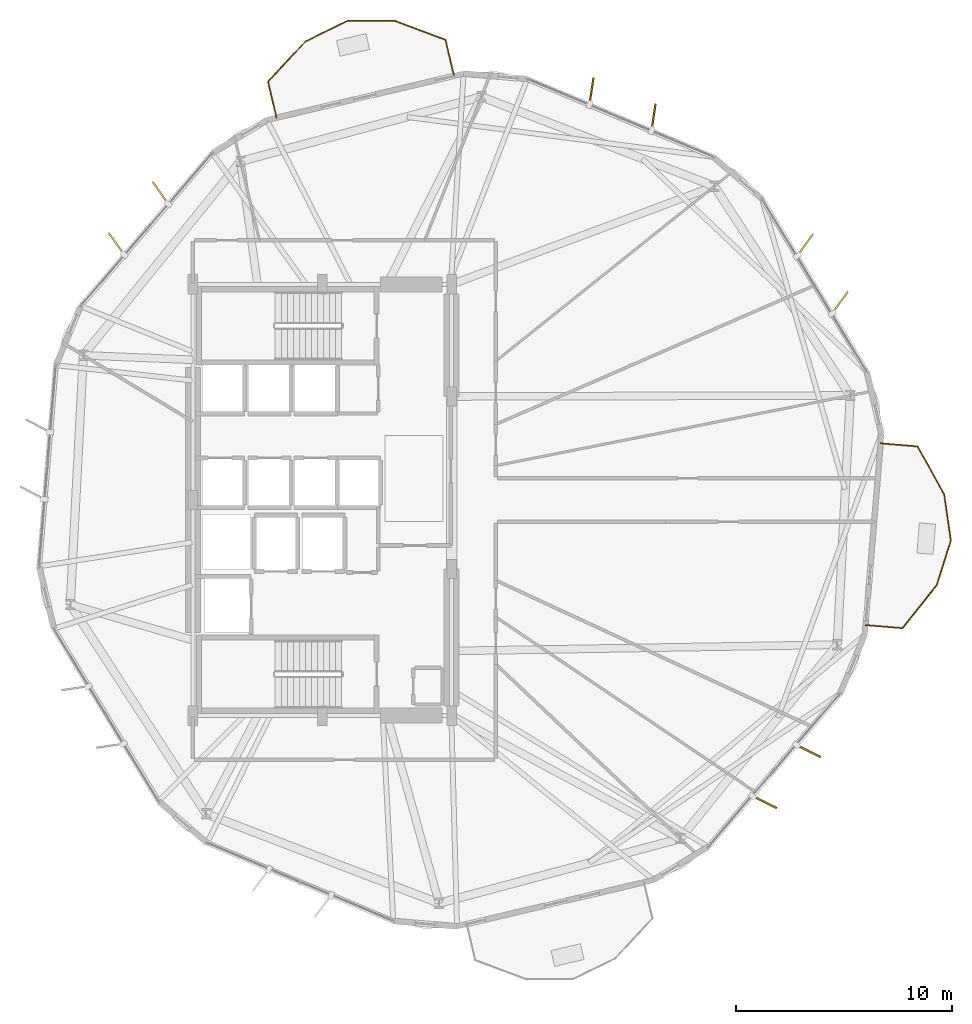
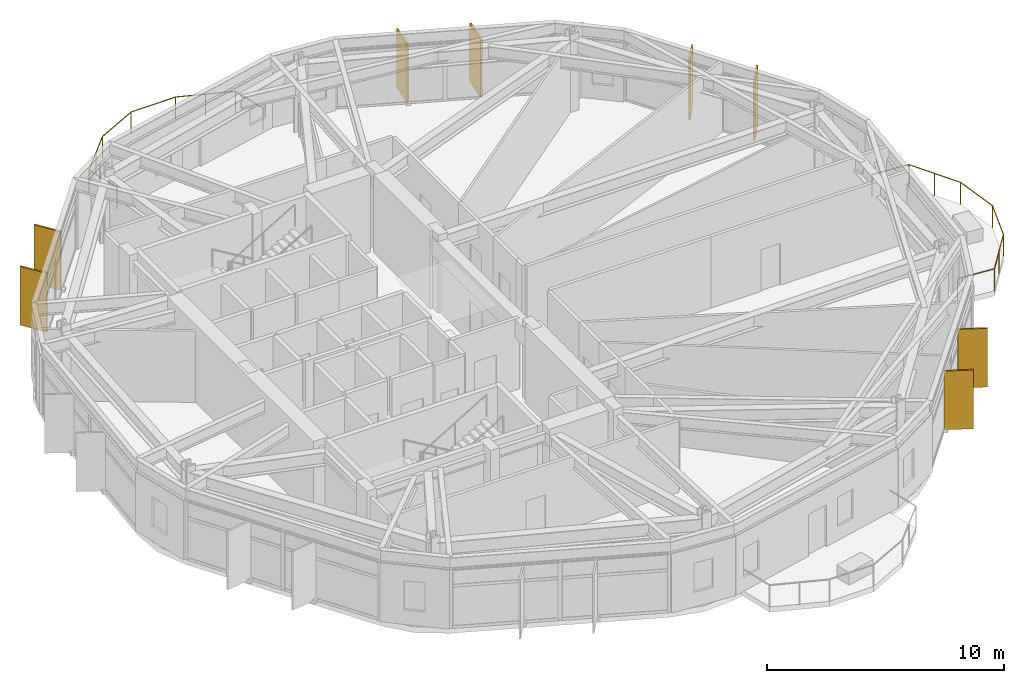
# One storey, part 21 of 21: 8 shading devices, 2 railings.
"""IFC4 building model written with IfcOpenShell, lengths in metres."""

from ifc_helpers import new_model, si_unit, direction, frame, origin, origin_2d, place, context, subcontext, project, spatial, rectangle, circle, extrude, material, layer, layer_set, type_object, element, save


model = new_model("IFC4")

# Units and contexts
model_context = context("Model", 3, precision=1e-05, world=origin(), true_north=direction((0.0, 1.0)))
body_context = subcontext(model_context, "Body", "Model", "MODEL_VIEW")
ifc_project = project(units=[si_unit("LENGTHUNIT", "METRE"), si_unit("AREAUNIT", "SQUARE_METRE"), si_unit("VOLUMEUNIT", "CUBIC_METRE"), si_unit("PLANEANGLEUNIT", "RADIAN"), si_unit("MASSUNIT", "GRAM", prefix="KILO")], contexts=[model_context])

# Site, building, storey
site_placement = place(None, origin())
site = spatial("IfcSite", under=ifc_project, at=site_placement, CompositionType="ELEMENT")
building_placement = place(site_placement, origin())
building = spatial("IfcBuilding", under=site, at=building_placement, Name="Soratama Intermodal Tower", CompositionType="ELEMENT")
storey_placement = place(building_placement, frame((0.0, 0.0, 78.60009765625)))
storey = spatial("IfcBuildingStorey", under=building, at=storey_placement, Name="L18", CompositionType="ELEMENT", Elevation=78.60009765625)

# Railings
ifc_material_1 = material(Name="Laminated glass and stainless steel balustrade", Category="steel")
railing_type = type_object("IfcRailingType", Name="RL-BAL-1150", PredefinedType="BALUSTRADE", material=ifc_material_1)
railing_1_placement = place(storey_placement, frame((64.48974609375, 27.629150390625, 0.0)))
element("IfcRailing", 1, at=railing_1_placement, inside=storey, type_object=railing_type, Name="L18 Balcony Balustrade 1", PredefinedType="BALUSTRADE", context=body_context, shape_type="SweptSolid", body=[
    extrude(circle(Radius=0.02392578125, at=origin_2d()), frame((0.0, 0.0, 1.1259765625), z_axis=(0.996581883403, -0.082610832665, 0.0), x_axis=(0.082610832665, 0.996581883403, 0.0)), (0.0, 0.0, 1.0), 1.719970703125),
    extrude(circle(Radius=0.02392578125, at=origin_2d()), frame((1.714111328125, -0.14208984375, 1.1259765625), z_axis=(0.485471887397, -0.874252278549, 0.0), x_axis=(0.874252278549, 0.485471887397, 0.0)), (0.0, 0.0, 1.0), 2.545166015625),
    extrude(circle(Radius=0.02392578125, at=origin_2d()), frame((2.94970703125, -2.3671875, 1.1259765625), z_axis=(0.142082802798, -0.989854775787, 0.0), x_axis=(0.989854775787, 0.142082802798, 0.0)), (0.0, 0.0, 1.0), 2.170166015625),
    extrude(circle(Radius=0.02392578125, at=origin_2d()), frame((3.258056640625, -4.515380859375, 1.1259765625), z_axis=(-0.303203657277, -0.952925780013, 0.0), x_axis=(0.952925780013, -0.303203657277, 0.0)), (0.0, 0.0, 1.0), 2.169921875),
    extrude(circle(Radius=0.02392578125, at=origin_2d()), frame((2.60009765625, -6.583251953125, 1.1259765625), z_axis=(-0.622786550334, -0.782391789785, 0.0), x_axis=(0.782391789785, -0.622786550334, 0.0)), (0.0, 0.0, 1.0), 2.54541015625),
    extrude(circle(Radius=0.02392578125, at=origin_2d()), frame((1.014892578125, -8.57470703125, 1.1259765625), z_axis=(-0.99657018762, 0.082751804498, 0.0), x_axis=(-0.082751804498, -0.99657018762, 0.0)), (0.0, 0.0, 1.0), 1.719970703125),
    extrude(circle(Radius=0.02099609375, at=origin_2d()), origin(), (0.0, 0.0, 1.0), 1.101806640625),
    extrude(circle(Radius=0.02099609375, at=origin_2d()), frame((1.714111328125, -0.14208984375, 0.0)), (0.0, 0.0, 1.0), 1.101806640625),
    extrude(circle(Radius=0.02099609375, at=origin_2d()), frame((2.33203125, -1.254638671875, 0.0)), (0.0, 0.0, 1.0), 1.101806640625),
    extrude(circle(Radius=0.02099609375, at=origin_2d()), frame((2.94970703125, -2.3671875, 0.0)), (0.0, 0.0, 1.0), 1.101806640625),
    extrude(circle(Radius=0.02099609375, at=origin_2d()), frame((3.258056640625, -4.515380859375, 0.0)), (0.0, 0.0, 1.0), 1.101806640625),
    extrude(circle(Radius=0.02099609375, at=origin_2d()), frame((2.60009765625, -6.583251953125, 0.0)), (0.0, 0.0, 1.0), 1.101806640625),
    extrude(circle(Radius=0.02099609375, at=origin_2d()), frame((1.8076171875, -7.5791015625, 0.0)), (0.0, 0.0, 1.0), 1.101806640625),
    extrude(circle(Radius=0.02099609375, at=origin_2d()), frame((1.014892578125, -8.57470703125, 0.0)), (0.0, 0.0, 1.0), 1.101806640625),
    extrude(circle(Radius=0.02099609375, at=origin_2d()), frame((-0.69921875, -8.432373046875, 0.0)), (0.0, 0.0, 1.0), 1.101806640625),
])
railing_2_placement = place(storey_placement, frame((36.476806640625, 42.723388671875, 0.0)))
element("IfcRailing", 2, at=railing_2_placement, inside=storey, type_object=railing_type, Name="L18 Balcony Balustrade 2", PredefinedType="BALUSTRADE", context=body_context, shape_type="SweptSolid", body=[
    extrude(circle(Radius=0.02392578125, at=origin_2d()), frame((0.0, 0.0, 1.1259765625), z_axis=(-0.229355751406, 0.973342662836, 0.0), x_axis=(-0.973342662836, -0.229355751406, 0.0)), (0.0, 0.0, 1.0), 1.72021484375),
    extrude(circle(Radius=0.02392578125, at=origin_2d()), frame((-0.39453125, 1.67431640625, 1.1259765625), z_axis=(0.681476999439, 0.73183953107, 0.0), x_axis=(-0.73183953107, 0.681476999439, 0.0)), (0.0, 0.0, 1.0), 2.544921875),
    extrude(circle(Radius=0.02392578125, at=origin_2d()), frame((1.33984375, 3.536865234375, 1.1259765625), z_axis=(0.897510583572, 0.44099291647, 0.0), x_axis=(-0.44099291647, 0.897510583572, 0.0)), (0.0, 0.0, 1.0), 2.170166015625),
    extrude(circle(Radius=0.02392578125, at=origin_2d()), frame((3.28759765625, 4.493896484375, 1.1259765625), z_axis=(0.99998085845, 0.00618730422, 0.0), x_axis=(-0.00618730422, 0.99998085845, 0.0)), (0.0, 0.0, 1.0), 2.170166015625),
    extrude(circle(Radius=0.02392578125, at=origin_2d()), frame((5.457763671875, 4.50732421875, 1.1259765625), z_axis=(0.936522201246, -0.350608280811, 0.0), x_axis=(0.350608280811, 0.936522201246, 0.0)), (0.0, 0.0, 1.0), 2.545166015625),
    extrude(circle(Radius=0.02392578125, at=origin_2d()), frame((7.84130859375, 3.614990234375, 1.1259765625), z_axis=(0.22938743993, -0.973335195296, 0.0), x_axis=(0.973335195296, 0.22938743993, 0.0)), (0.0, 0.0, 1.0), 1.719970703125),
    extrude(circle(Radius=0.02099609375, at=origin_2d()), origin(), (0.0, 0.0, 1.0), 1.101806640625),
    extrude(circle(Radius=0.02099609375, at=origin_2d()), frame((-0.39453125, 1.67431640625, 0.0)), (0.0, 0.0, 1.0), 1.101806640625),
    extrude(circle(Radius=0.02099609375, at=origin_2d()), frame((0.47265625, 2.60546875, 0.0)), (0.0, 0.0, 1.0), 1.101806640625),
    extrude(circle(Radius=0.02099609375, at=origin_2d()), frame((1.33984375, 3.536865234375, 0.0)), (0.0, 0.0, 1.0), 1.101806640625),
    extrude(circle(Radius=0.02099609375, at=origin_2d()), frame((3.28759765625, 4.493896484375, 0.0)), (0.0, 0.0, 1.0), 1.101806640625),
    extrude(circle(Radius=0.02099609375, at=origin_2d()), frame((5.457763671875, 4.50732421875, 0.0)), (0.0, 0.0, 1.0), 1.101806640625),
    extrude(circle(Radius=0.02099609375, at=origin_2d()), frame((6.6494140625, 4.06103515625, 0.0)), (0.0, 0.0, 1.0), 1.101806640625),
    extrude(circle(Radius=0.02099609375, at=origin_2d()), frame((7.84130859375, 3.614990234375, 0.0)), (0.0, 0.0, 1.0), 1.101806640625),
    extrude(circle(Radius=0.02099609375, at=origin_2d()), frame((8.23583984375, 1.94091796875, 0.0)), (0.0, 0.0, 1.0), 1.101806640625),
])

# Shading devices
ifc_material_2 = material(Name="Champagne anodised aluminium solar fin", Category="aluminium")
ifc_layer = layer(ifc_material_2, 0.080078125)
ifc_layer_set = layer_set([ifc_layer], Name="Champagne anodised aluminium solar fin")
shading_device_type = type_object("IfcShadingDeviceType", Name="SH-FIN-1250", PredefinedType="USERDEFINED", material=ifc_layer_set)
for number, where, z_axis, x_axis, name in (
    (3, (62.60546875, 34.155029296875, 0.019775390625), (0.0, 0.0, 1.0), (0.586513726741, 0.809939286826, 0.0), "L18 Solar Fin F01-1"),
    (4, (60.986083984375, 36.822509765625, 0.019775390625), (0.0, 0.0, 1.0), (0.586513726741, 0.809939286826, 0.0), "L18 Solar Fin F01-2"),
    (5, (53.959716796875, 42.74755859375, 0.019775390625), (0.0, 0.0, 1.0), (0.150053034553, 0.988677948991, 0.0), "L18 Solar Fin F02-1"),
    (6, (51.081787109375, 43.953857421875, 0.019775390625), (0.0, 0.0, 1.0), (0.150053034553, 0.988677948991, 0.0), "L18 Solar Fin F02-2"),
    (7, (31.09521484375, 39.243896484375, 0.019775390625), (0.0, 0.0, 1.0), (-0.575719003324, 0.817647619217, 0.0), "L18 Solar Fin F04-1"),
    (8, (29.05859375, 36.87939453125, 0.019775390625), (0.0, 0.0, 1.0), (-0.575719003324, 0.817647619217, 0.0), "L18 Solar Fin F04-2"),
    (9, (59.110107421875, 10.994384765625, 0.019775390625), (0.0, 0.0, 1.0), (0.893919668171, -0.448227204503, 0.0), "L18 Solar Fin F09-1"),
    (10, (61.146728515625, 13.35888671875, 0.019775390625), (0.0, 0.0, 1.0), (0.893919668171, -0.448227204503, 0.0), "L18 Solar Fin F09-2"),
):
    element("IfcShadingDevice", number, at=place(storey_placement, frame(where, z_axis=z_axis, x_axis=x_axis)), inside=storey, type_object=shading_device_type, Name=name, ObjectType="FIN", PredefinedType="USERDEFINED", context=body_context, shape_type="SweptSolid", body=[
        extrude(rectangle(XDim=1.25, YDim=0.080078125, at=origin_2d()), origin(), (0.0, 0.0, 1.0), 3.01904296875),
    ])

save(model, "model.ifc")
